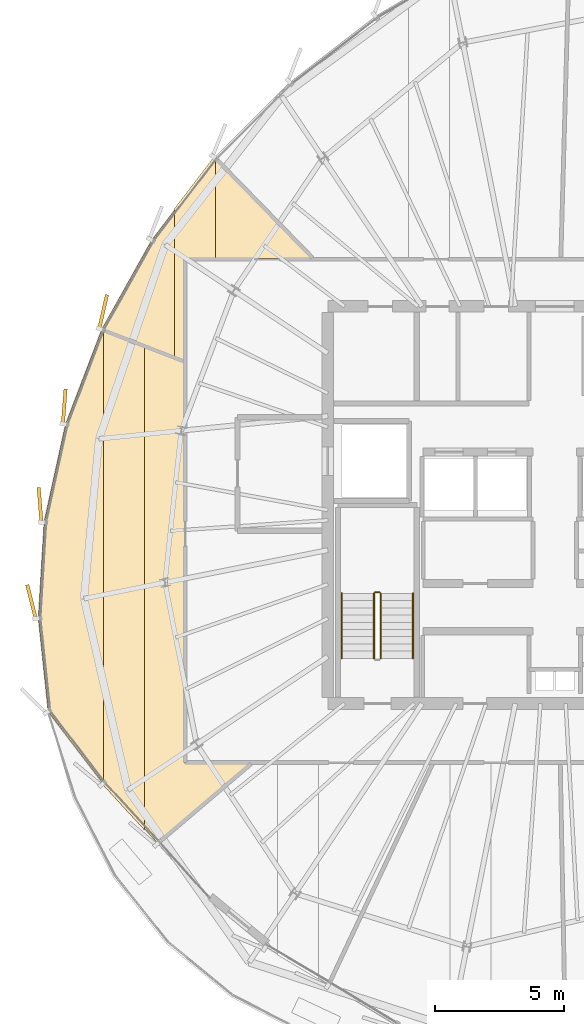
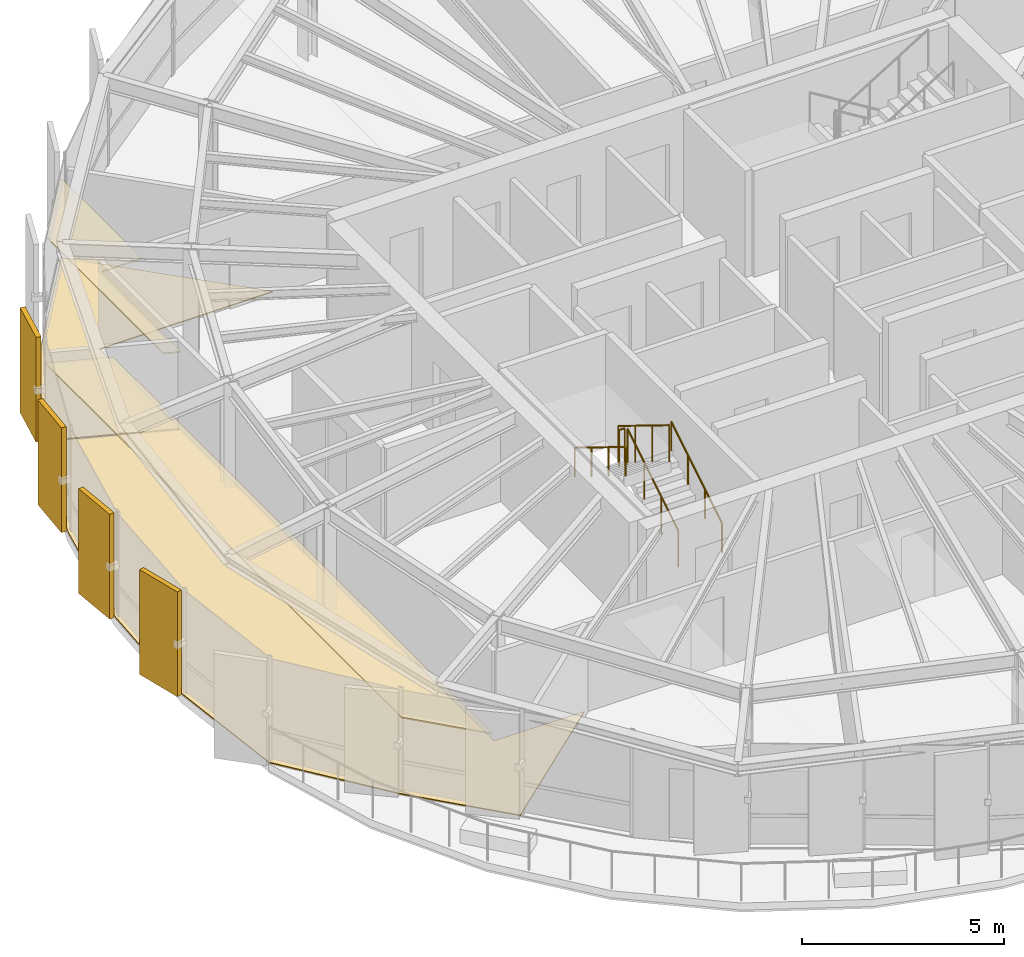
# One storey, part 32 of 34: 8 coverings, 5 railings.
"""IFC4 building model written with IfcOpenShell, lengths in metres."""

from ifc_helpers import new_model, si_unit, direction, frame, origin, origin_2d, place, context, subcontext, project, spatial, polyline, rectangle, circle, outline, extrude, source, transform, mapped, material, layer, layer_set, type_object, element, save


model = new_model("IFC4")

# Units and contexts
model_context = context("Model", 3, precision=1e-05, world=origin(), true_north=direction((0.0, 1.0)))
body_context = subcontext(model_context, "Body", "Model", "MODEL_VIEW")
ifc_project = project(units=[si_unit("LENGTHUNIT", "METRE"), si_unit("AREAUNIT", "SQUARE_METRE"), si_unit("VOLUMEUNIT", "CUBIC_METRE"), si_unit("PLANEANGLEUNIT", "RADIAN"), si_unit("MASSUNIT", "GRAM", prefix="KILO"), si_unit("THERMODYNAMICTEMPERATUREUNIT", "KELVIN")], contexts=[model_context])

# Site, building, storey
site_placement = place(None, origin())
site = spatial("IfcSite", under=ifc_project, at=site_placement, CompositionType="ELEMENT")
building_placement = place(site_placement, origin())
building = spatial("IfcBuilding", under=site, at=building_placement, Name="Kethvar Cultural Tower", CompositionType="ELEMENT")
storey_placement = place(building_placement, frame((0.0, 0.0, 262.89990234375)))
storey = spatial("IfcBuildingStorey", under=building, at=storey_placement, Name="L69", CompositionType="ELEMENT", Elevation=262.89990234375)

# Coverings
ifc_material_1 = material(Name="Acoustic Mineral Fibre Ceiling")
ifc_layer_1 = layer(ifc_material_1, 0.0400390625, Name="Acoustic Mineral Fibre Ceiling")
ifc_layer_set_1 = layer_set([ifc_layer_1], Name="Acoustic Mineral Fibre Ceiling (40 mm)")
covering_type_1 = type_object("IfcCoveringType", Name="CV-ACOUSTIC-CEIL", PredefinedType="CEILING", material=ifc_layer_set_1)
covering_1_placement = place(storey_placement, frame((0.0, 0.0, 2.340087890625)))
element("IfcCovering", 1, at=covering_1_placement, inside=storey, type_object=covering_type_1, Name="L69 Room 09 Acoustic Ceiling Panel", PredefinedType="CEILING", context=body_context, shape_type="SweptSolid", body=[
    extrude(outline(polyline([(33.57421875, 41.2890625), (33.634765625, 41.259765625), (33.634765625, 37.31103515625), (32.47998046875, 37.31103515625), (32.45654296875, 33.331298828125), (32.044921875, 33.490234375), (32.044921875, 39.285400390625), (33.57421875, 41.2890625)])), origin(), (0.0, 0.0, 1.0), 0.0400390625),
])
covering_2_placement = place(storey_placement, frame((0.0, 0.0, 2.340087890625)))
element("IfcCovering", 2, at=covering_2_placement, inside=storey, type_object=covering_type_1, Name="L69 Room 10 Acoustic Ceiling Panel", PredefinedType="CEILING", context=body_context, shape_type="SweptSolid", body=[
    extrude(outline(polyline([(30.884521484375, 33.982177734375), (30.884521484375, 15.197509765625), (29.29443359375, 16.930908203125), (29.29443359375, 34.59765625), (30.884521484375, 33.982177734375)])), origin(), (0.0, 0.0, 1.0), 0.0400390625),
])
ifc_material_2 = material(Name="Honed Warm Limestone", Category="masonry")
ifc_layer_2 = layer(ifc_material_2, 0.030029296875, Name="Honed Warm Limestone", Category="masonry")
ifc_layer_set_2 = layer_set([ifc_layer_2], Name="Honed Warm Limestone (30 mm)")
covering_type_2 = type_object("IfcCoveringType", Name="CV-STONE-FLOOR", PredefinedType="FLOORING", material=ifc_layer_set_2)
covering_3_placement = place(storey_placement, origin())
element("IfcCovering", 3, at=covering_3_placement, inside=storey, type_object=covering_type_2, Name="L69 Room 09 Floor Finish", PredefinedType="FLOORING", context=body_context, shape_type="SweptSolid", body=[
    extrude(outline(polyline([(31.166748046875, 38.069091796875), (33.592041015625, 41.246337890625), (37.41015625, 37.35107421875), (32.447265625, 37.346435546875), (32.43994140625, 33.380126953125), (29.23876953125, 34.619140625), (31.166748046875, 38.069091796875)])), origin(), (0.0, 0.0, 1.0), 0.030029296875),
])
covering_4_placement = place(storey_placement, origin())
element("IfcCovering", 4, at=covering_4_placement, inside=storey, type_object=covering_type_2, Name="L69 Room 10 Floor Finish", PredefinedType="FLOORING", context=body_context, shape_type="SweptSolid", body=[
    extrude(outline(polyline([(29.284912109375, 17.000732421875), (27.1533203125, 19.791259765625), (26.770751953125, 23.404296875), (26.996337890625, 27.15478515625), (27.823974609375, 30.925048828125), (29.2216796875, 34.5830078125), (32.43994140625, 33.337158203125), (32.4404296875, 17.802978515625), (35.023681640625, 17.787109375), (31.3984375, 14.6962890625), (29.284912109375, 17.000732421875)])), origin(), (0.0, 0.0, 1.0), 0.030029296875),
])

# Railings
ifc_material_3 = material(Name="Steel S355J2", Category="steel")
railing_type_1 = type_object("IfcRailingType", Name="RL-STAIR-GUARD", PredefinedType="BALUSTRADE", material=ifc_material_3)
railing_1_placement = place(storey_placement, frame((40.050048828125, 21.85009765625, 0.172607421875)))
element("IfcRailing", 5, at=railing_1_placement, inside=storey, type_object=railing_type_1, Name="L69 ST-01 stair guard 1", PredefinedType="BALUSTRADE", context=body_context, shape_type="SweptSolid", body=[
    extrude(circle(Radius=0.02392578125, at=origin_2d()), frame((0.0, 0.0, 1.09619140625), z_axis=(0.0, 0.851400495292, 0.524516154772), x_axis=(-1.0, 0.0, 0.0)), (0.0, 0.0, 1.0), 2.9599609375),
    extrude(circle(Radius=0.02099609375, at=origin_2d()), origin(), (0.0, 0.0, 1.0), 1.072021484375),
    extrude(circle(Radius=0.02099609375, at=origin_2d()), frame((0.0, 0.840087890625, 0.517578125)), (0.0, 0.0, 1.0), 1.072021484375),
    extrude(circle(Radius=0.02099609375, at=origin_2d()), frame((0.0, 1.679931640625, 1.034912109375)), (0.0, 0.0, 1.0), 1.072021484375),
    extrude(circle(Radius=0.02099609375, at=origin_2d()), frame((0.0, 2.52001953125, 1.552490234375)), (0.0, 0.0, 1.0), 1.072021484375),
])
railing_2_placement = place(storey_placement, frame((40.0, 24.419921875, 1.72509765625)))
element("IfcRailing", 6, at=railing_2_placement, inside=storey, type_object=railing_type_1, Name="L69 ST-01 stair guard 2", PredefinedType="BALUSTRADE", context=body_context, shape_type="SweptSolid", body=[
    extrude(circle(Radius=0.02392578125, at=origin_2d()), frame((0.0, 0.0, 1.09619140625), z_axis=(-1.0, 0.0, 0.0), x_axis=(0.0, -1.0, 0.0)), (0.0, 0.0, 1.0), 0.159912109375),
    extrude(circle(Radius=0.02099609375, at=origin_2d()), origin(), (0.0, 0.0, 1.0), 1.072021484375),
    extrude(circle(Radius=0.02099609375, at=origin_2d()), frame((-0.159912109375, 0.0, 0.0)), (0.0, 0.0, 1.0), 1.072021484375),
])
railing_3_placement = place(storey_placement, frame((39.7900390625, 24.3701171875, 1.897705078125)))
element("IfcRailing", 7, at=railing_3_placement, inside=storey, type_object=railing_type_1, Name="L69 ST-01 stair guard 3", PredefinedType="BALUSTRADE", context=body_context, shape_type="SweptSolid", body=[
    extrude(circle(Radius=0.02392578125, at=origin_2d()), frame((0.0, 0.0, 1.09619140625), z_axis=(0.0, -0.851400495292, 0.524516154772), x_axis=(1.0, 0.0, 0.0)), (0.0, 0.0, 1.0), 2.9599609375),
    extrude(circle(Radius=0.02099609375, at=origin_2d()), origin(), (0.0, 0.0, 1.0), 1.072021484375),
    extrude(circle(Radius=0.02099609375, at=origin_2d()), frame((0.0, -0.840087890625, 0.517578125)), (0.0, 0.0, 1.0), 1.072021484375),
    extrude(circle(Radius=0.02099609375, at=origin_2d()), frame((0.0, -1.679931640625, 1.034912109375)), (0.0, 0.0, 1.0), 1.072021484375),
    extrude(circle(Radius=0.02099609375, at=origin_2d()), frame((0.0, -2.52001953125, 1.552490234375)), (0.0, 0.0, 1.0), 1.072021484375),
])
railing_type_2 = type_object("IfcRailingType", Name="RL-STAIR-HANDRAIL", PredefinedType="HANDRAIL", material=ifc_material_3)
railing_4_placement = place(storey_placement, frame((41.300048828125, 21.85009765625, 0.172607421875)))
element("IfcRailing", 8, at=railing_4_placement, inside=storey, type_object=railing_type_2, Name="L69 ST-01 stair handrail 1", PredefinedType="HANDRAIL", context=body_context, shape_type="SweptSolid", body=[
    extrude(circle(Radius=0.02392578125, at=origin_2d()), frame((0.0, 0.0, 0.8759765625), z_axis=(0.0, 0.851400495292, 0.524516154772), x_axis=(-1.0, 0.0, 0.0)), (0.0, 0.0, 1.0), 2.9599609375),
    extrude(circle(Radius=0.02099609375, at=origin_2d()), origin(), (0.0, 0.0, 1.0), 0.851806640625),
    extrude(circle(Radius=0.02099609375, at=origin_2d()), frame((0.0, 0.840087890625, 0.517578125)), (0.0, 0.0, 1.0), 0.851806640625),
    extrude(circle(Radius=0.02099609375, at=origin_2d()), frame((0.0, 1.679931640625, 1.034912109375)), (0.0, 0.0, 1.0), 0.851806640625),
    extrude(circle(Radius=0.02099609375, at=origin_2d()), frame((0.0, 2.52001953125, 1.552490234375)), (0.0, 0.0, 1.0), 0.851806640625),
])
railing_5_placement = place(storey_placement, frame((38.5400390625, 24.3701171875, 1.897705078125)))
element("IfcRailing", 9, at=railing_5_placement, inside=storey, type_object=railing_type_2, Name="L69 ST-01 stair handrail 2", PredefinedType="HANDRAIL", context=body_context, shape_type="SweptSolid", body=[
    extrude(circle(Radius=0.02392578125, at=origin_2d()), frame((0.0, 0.0, 0.8759765625), z_axis=(0.0, -0.851400495292, 0.524516154772), x_axis=(1.0, 0.0, 0.0)), (0.0, 0.0, 1.0), 2.9599609375),
    extrude(circle(Radius=0.02099609375, at=origin_2d()), origin(), (0.0, 0.0, 1.0), 0.851806640625),
    extrude(circle(Radius=0.02099609375, at=origin_2d()), frame((0.0, -0.840087890625, 0.517578125)), (0.0, 0.0, 1.0), 0.851806640625),
    extrude(circle(Radius=0.02099609375, at=origin_2d()), frame((0.0, -1.679931640625, 1.034912109375)), (0.0, 0.0, 1.0), 0.851806640625),
    extrude(circle(Radius=0.02099609375, at=origin_2d()), frame((0.0, -2.52001953125, 1.552490234375)), (0.0, 0.0, 1.0), 0.851806640625),
])

# Coverings
ifc_material_4 = material(Name="Extruded Architectural Terracotta", Category="masonry")
ifc_layer_3 = layer(ifc_material_4, 0.135009765625, Name="Extruded Architectural Terracotta", Category="masonry")
ifc_layer_set_3 = layer_set([ifc_layer_3], Name="Extruded Architectural Terracotta (135 mm)")
covering_type_3 = type_object("IfcCoveringType", Name="Terracotta Facade Fin FIN-03", PredefinedType="CLADDING", material=ifc_layer_set_3)
shared_shape = source(origin(), body_context, "Body", "SweptSolid", [
    extrude(rectangle(XDim=1.35009765625, YDim=0.135009765625, at=origin_2d()), origin(), (0.0, 0.0, 1.0), 3.169921875),
])
for number, where, z_axis, x_axis, name in (
    (10, (29.2861328125, 35.29541015625, 0.02001953125), (0.0, 0.0, 1.0), (0.223420240532, 0.974722214849, 0.0), "L69 Vertical Terracotta Fin 2.5"),
    (11, (27.778076171875, 31.62109375, 0.02001953125), (0.0, 0.0, 1.0), (0.076370986393, 0.997079471475, 0.0), "L69 Vertical Terracotta Fin 2.6"),
    (12, (26.8408203125, 27.799560546875, 0.02001953125), (0.0, 0.0, 1.0), (-0.079503021908, 0.996834624954, 0.0), "L69 Vertical Terracotta Fin 3.1"),
    (13, (26.507080078125, 24.05029296875, 0.02001953125), (0.0, 0.0, 1.0), (-0.242599230795, 0.97012659649, 0.0), "L69 Vertical Terracotta Fin 3.2"),
):
    element("IfcCovering", number, at=place(storey_placement, frame(where, z_axis=z_axis, x_axis=x_axis)), inside=storey, type_object=covering_type_3, Name=name, PredefinedType="CLADDING", context=body_context, shape_type="MappedRepresentation", body=[
        mapped(shared_shape, transform((0.0, 0.0, 0.0), scale=1.0)),
    ])

save(model, "model.ifc")
